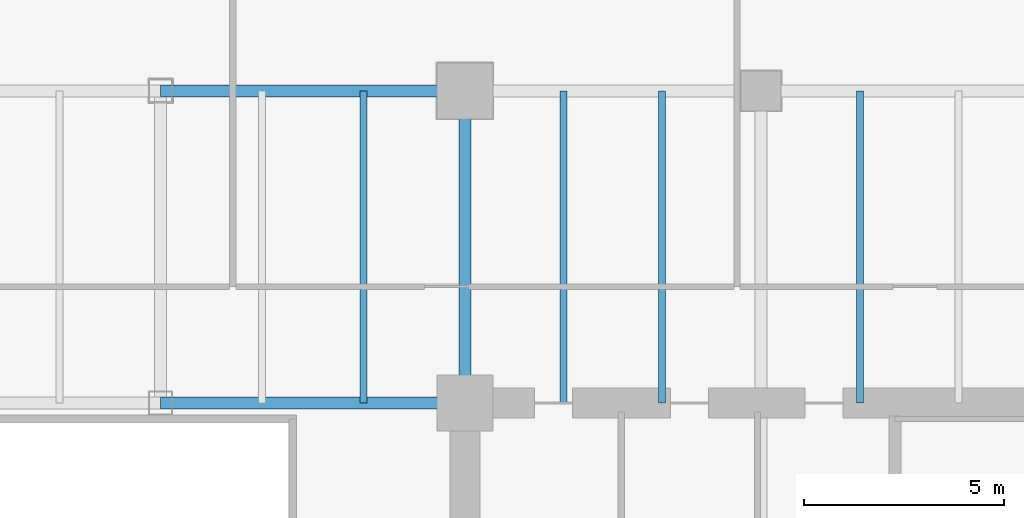
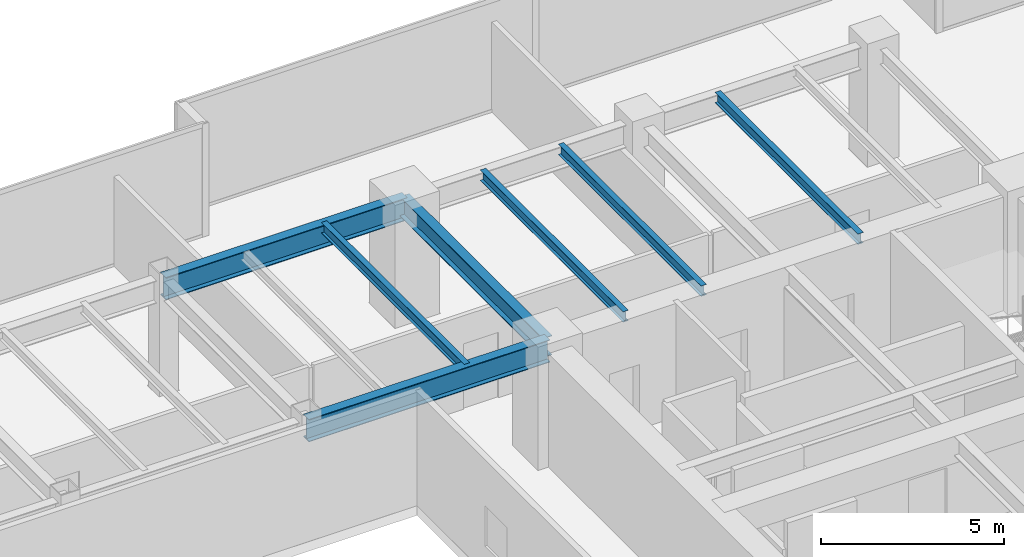
# One storey, part 19 of 37: 7 beams.
"""IFC4 building model written with IfcOpenShell, lengths in metres."""

from ifc_helpers import new_model, si_unit, direction, frame, origin, origin_2d, place, context, subcontext, project, spatial, i_section, extrude, source, transform, mapped, material, material_profile, profile_set, type_object, type_shapes, element, save


model = new_model("IFC4")

# Units and contexts
model_context = context("Model", 3, precision=1e-05, world=origin(), true_north=direction((0.0, 1.0)))
body_context = subcontext(model_context, "Body", "Model", "MODEL_VIEW")
ifc_project = project(units=[si_unit("LENGTHUNIT", "METRE"), si_unit("AREAUNIT", "SQUARE_METRE"), si_unit("VOLUMEUNIT", "CUBIC_METRE"), si_unit("PLANEANGLEUNIT", "RADIAN"), si_unit("MASSUNIT", "GRAM", prefix="KILO")], contexts=[model_context])

# Site, building, storey
site_placement = place(None, origin())
site = spatial("IfcSite", under=ifc_project, at=site_placement, CompositionType="ELEMENT")
building_placement = place(site_placement, origin())
building = spatial("IfcBuilding", under=site, at=building_placement, Name="Haelvirn Gate Laboratories", CompositionType="ELEMENT")
storey_placement = place(building_placement, frame((0.0, 0.0, 78.5)))
storey = spatial("IfcBuildingStorey", under=building, at=storey_placement, Name="L19", CompositionType="ELEMENT", Elevation=78.5)

# Beams
ifc_material = material(Name="Steel SM355", Category="steel")
ifc_material_profile_1 = material_profile(ifc_material, i_section(OverallWidth=0.300048828125, OverallDepth=0.75, WebThickness=0.013916015625, FlangeThickness=0.02392578125, at=origin_2d()), Name="H-750x300x14x24")
ifc_profile_set_1 = profile_set([ifc_material_profile_1], Name="Steel SM355")
beam_type_1 = type_object("IfcBeamType", Name="BM-G-750", PredefinedType="BEAM", material=ifc_profile_set_1)
shared_shape_1 = source(origin(), body_context, "Body", "SweptSolid", [
    extrude(i_section(OverallWidth=0.300048828125, OverallDepth=0.75, WebThickness=0.013916015625, FlangeThickness=0.02392578125, at=origin_2d()), origin(), (0.0, 0.0, 1.0), 7.60009765625),
])
type_shapes(beam_type_1, [shared_shape_1])
for number, where, z_axis, x_axis, name in (
    (1, (45.0, 33.800048828125, 3.405029296875), (1.0, 0.0, 0.0), (0.0, 1.0, 0.0), "L19 Primary Girder Y33.8 (45.0-52.6)"),
    (2, (45.0, 41.60009765625, 3.405029296875), (1.0, 0.0, 0.0), (0.0, 1.0, 0.0), "L19 Primary Girder Y41.6 (45.0-52.6)"),
):
    element("IfcBeam", number, at=place(storey_placement, frame(where, z_axis=z_axis, x_axis=x_axis)), inside=storey, type_object=beam_type_1, Name=name, PredefinedType="BEAM", context=body_context, shape_type="MappedRepresentation", body=[
        mapped(shared_shape_1, transform((0.0, 0.0, 0.0), scale=1.0)),
    ])
ifc_material_profile_2 = material_profile(ifc_material, i_section(OverallWidth=0.175048828125, OverallDepth=0.35009765625, WebThickness=0.007080078125, FlangeThickness=0.010986328125, at=origin_2d()), Name="H-350x175x7x11")
ifc_profile_set_2 = profile_set([ifc_material_profile_2], Name="Steel SM355")
beam_type_2 = type_object("IfcBeamType", Name="BM-J-350", PredefinedType="JOIST", material=ifc_profile_set_2)
shared_shape_2 = source(origin(), body_context, "Body", "SweptSolid", [
    extrude(i_section(OverallWidth=0.175048828125, OverallDepth=0.35009765625, WebThickness=0.007080078125, FlangeThickness=0.010986328125, at=origin_2d()), origin(), (0.0, 0.0, 1.0), 7.800048828125),
])
type_shapes(beam_type_2, [shared_shape_2])
for number, where, z_axis, x_axis, name in (
    (3, (50.070068359375, 33.800048828125, 3.60498046875), (0.0, 1.0, 0.0), (-1.0, 0.0, 0.0), "L19 Composite Lab Joist North X50.07"),
    (4, (55.070068359375, 33.800048828125, 3.60498046875), (0.0, 1.0, 0.0), (-1.0, 0.0, 0.0), "L19 Composite Lab Joist North X55.07"),
    (5, (57.530029296875, 33.800048828125, 3.60498046875), (0.0, 1.0, 0.0), (-1.0, 0.0, 0.0), "L19 Composite Lab Joist North X57.53"),
    (6, (62.469970703125, 33.800048828125, 3.60498046875), (0.0, 1.0, 0.0), (-1.0, 0.0, 0.0), "L19 Composite Lab Joist North X62.47"),
):
    element("IfcBeam", number, at=place(storey_placement, frame(where, z_axis=z_axis, x_axis=x_axis)), inside=storey, type_object=beam_type_2, Name=name, PredefinedType="JOIST", context=body_context, shape_type="MappedRepresentation", body=[
        mapped(shared_shape_2, transform((0.0, 0.0, 0.0), scale=1.0)),
    ])
ifc_material_profile_3 = material_profile(ifc_material, i_section(OverallWidth=0.300048828125, OverallDepth=0.64990234375, WebThickness=0.012939453125, FlangeThickness=0.02197265625, at=origin_2d()), Name="H-650x300x13x22")
ifc_profile_set_3 = profile_set([ifc_material_profile_3], Name="Steel SM355")
beam_type_3 = type_object("IfcBeamType", Name="BM-G-650", PredefinedType="BEAM", material=ifc_profile_set_3)
shared_shape_3 = source(origin(), body_context, "Body", "SweptSolid", [
    extrude(i_section(OverallWidth=0.300048828125, OverallDepth=0.64990234375, WebThickness=0.012939453125, FlangeThickness=0.02197265625, at=origin_2d()), origin(), (0.0, 0.0, 1.0), 7.800048828125),
])
type_shapes(beam_type_3, [shared_shape_3])
beam_placement = place(storey_placement, frame((52.60009765625, 33.800048828125, 3.455078125), z_axis=(0.0, 1.0, 0.0), x_axis=(-1.0, 0.0, 0.0)))
element("IfcBeam", 7, at=beam_placement, inside=storey, type_object=beam_type_3, Name="L19 Frame Girder X52.6 (33.8-41.6)", PredefinedType="BEAM", context=body_context, shape_type="MappedRepresentation", body=[
    mapped(shared_shape_3, transform((0.0, 0.0, 0.0), scale=1.0)),
])

save(model, "model.ifc")
